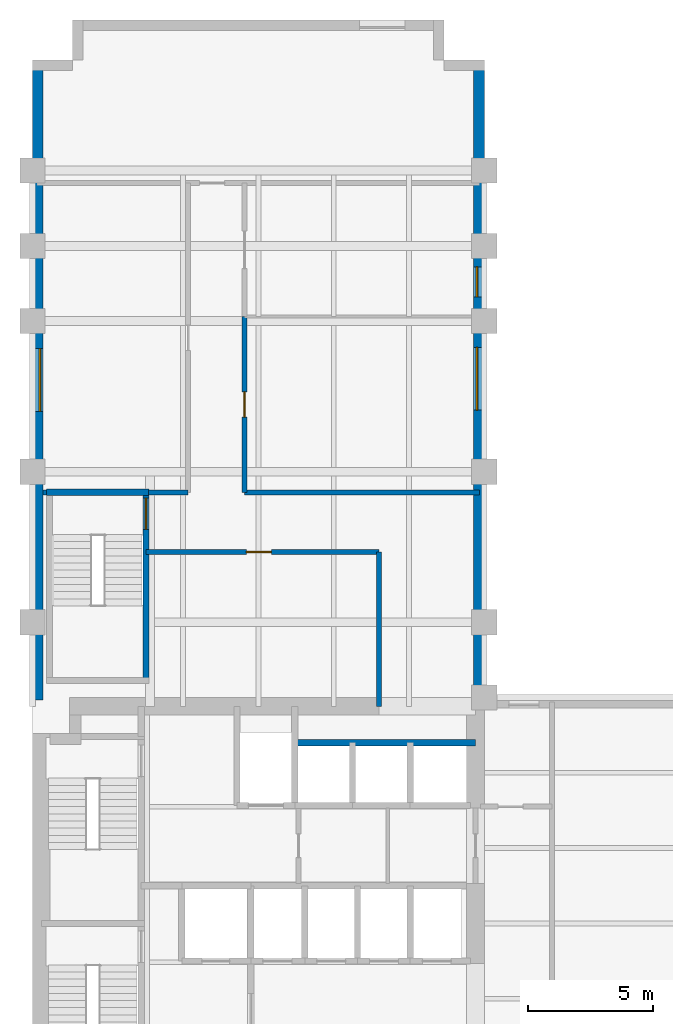
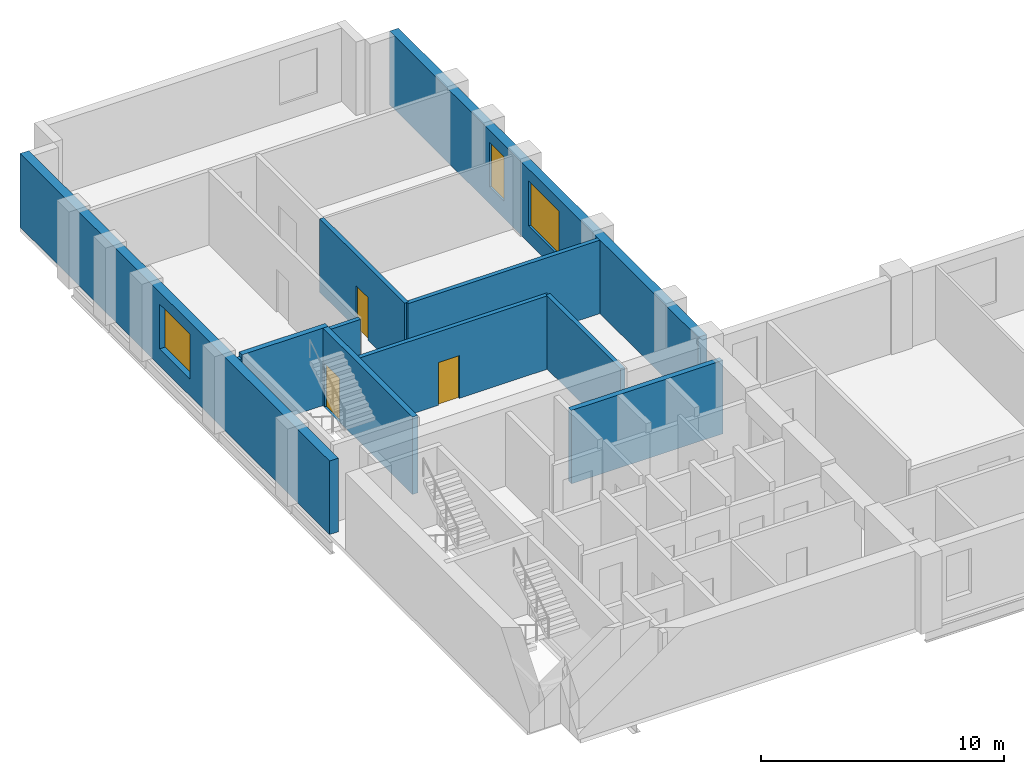
# One storey, part 4 of 7: 11 walls, 3 doors, 3 windows, 6 openings.
"""IFC4 building model written with IfcOpenShell, lengths in metres."""

from ifc_helpers import new_model, si_unit, direction, frame, frame_2d, origin, place, context, subcontext, project, spatial, rectangle, extrude, material, layer, layer_set, type_object, element, fill, save


model = new_model("IFC4")

# Units and contexts
model_context = context("Model", 3, precision=1e-05, world=origin(), true_north=direction((0.0, 1.0)))
body_context = subcontext(model_context, "Body", "Model", "MODEL_VIEW")
ifc_project = project(units=[si_unit("LENGTHUNIT", "METRE"), si_unit("AREAUNIT", "SQUARE_METRE"), si_unit("VOLUMEUNIT", "CUBIC_METRE"), si_unit("PLANEANGLEUNIT", "RADIAN"), si_unit("MASSUNIT", "GRAM", prefix="KILO")], contexts=[model_context])

# Site, building, storey
site_placement = place(None, origin())
site = spatial("IfcSite", under=ifc_project, at=site_placement, CompositionType="ELEMENT")
building_placement = place(site_placement, origin())
building = spatial("IfcBuilding", under=site, at=building_placement, Name="Mawjdan Bourse Tower", CompositionType="ELEMENT")
storey_placement = place(building_placement, frame((0.0, 0.0, 147.89990234375)))
storey = spatial("IfcBuildingStorey", under=building, at=storey_placement, Name="L35", CompositionType="ELEMENT", Elevation=147.89990234375)

# Wall, openings, windows
ifc_material_1 = material(Name="Brick Masonry Buff", Category="masonry")
ifc_layer_1 = layer(ifc_material_1, 0.419921875)
ifc_layer_set_1 = layer_set([ifc_layer_1], Name="Brick Masonry Buff")
wall_type_1 = type_object("IfcWallType", Name="WL-BRK-BUFF-420", PredefinedType="STANDARD", material=ifc_layer_set_1)
wall_1_placement = place(storey_placement, frame((23.7900390625, 21.0, 0.0), z_axis=(0.0, 0.0, 1.0), x_axis=(0.0, 1.0, 0.0)))
wall_1 = element("IfcWall", 1, at=wall_1_placement, inside=storey, type_object=wall_type_1, Name="L35 Exterior Brick Wall 8", PredefinedType="STANDARD", context=body_context, shape_type="SweptSolid", body=[
    extrude(rectangle(XDim=25.39990234375, YDim=0.419921875, at=frame_2d((12.699951171875, 0.0))), origin(), (0.0, 0.0, 1.0), 3.7001953125),
])
opening_1_placement = place(wall_1_placement, frame((11.449951171875, 0.0, 0.85009765625)))
opening_1 = element("IfcOpeningElement", 2, at=opening_1_placement, cuts=wall_1, Name="Opening W-L35-05", PredefinedType="OPENING", context=body_context, shape_type="SweptSolid", body=[
    extrude(rectangle(XDim=2.5, YDim=2.25, at=frame_2d((1.25, 1.125))), frame((0.0, 0.219970703125, 0.0), z_axis=(0.0, -1.0, 0.0), x_axis=(1.0, 0.0, 0.0)), (0.0, 0.0, 1.0), 0.43994140625),
])
opening_2_placement = place(wall_1_placement, frame((15.96630859375, 0.0, 0.85009765625)))
opening_2 = element("IfcOpeningElement", 3, at=opening_2_placement, cuts=wall_1, Name="Opening W-L35-11", PredefinedType="OPENING", context=body_context, shape_type="SweptSolid", body=[
    extrude(rectangle(XDim=1.199951171875, YDim=2.25, at=frame_2d((0.60009765625, 1.125))), frame((0.0, 0.219970703125, 0.0), z_axis=(0.0, -1.0, 0.0), x_axis=(1.0, 0.0, 0.0)), (0.0, 0.0, 1.0), 0.43994140625),
])
ifc_material_2 = material(Name="Solar-Control Clear Double Glazing", Category="glass")
window_type_1 = type_object("IfcWindowType", Name="WN-Z2-1200", PartitioningType="SINGLE_PANEL", PredefinedType="WINDOW", material=ifc_material_2)
window_1_placement = place(opening_2_placement, origin())
window_1 = element("IfcWindow", 4, at=window_1_placement, inside=storey, type_object=window_type_1, Name="L35 Deep-Set Masonry Window W-L35-11", OverallHeight=2.25, OverallWidth=1.199951171875, PartitioningType="SINGLE_PANEL", PredefinedType="WINDOW", context=body_context, shape_type="SweptSolid", body=[
    extrude(rectangle(XDim=1.199951171875, YDim=2.25, at=frame_2d((0.60009765625, 1.125))), frame((0.0, 0.110107421875, 0.0), z_axis=(0.0, -1.0, 0.0), x_axis=(1.0, 0.0, 0.0)), (0.0, 0.0, 1.0), 0.06005859375),
])
fill(opening_2, window_1)
window_type_2 = type_object("IfcWindowType", Name="WN-Z2-2500", PartitioningType="SINGLE_PANEL", PredefinedType="WINDOW", material=ifc_material_2)
window_2_placement = place(opening_1_placement, origin())
window_2 = element("IfcWindow", 5, at=window_2_placement, inside=storey, type_object=window_type_2, Name="L35 Deep-Set Masonry Window W-L35-05", OverallHeight=2.25, OverallWidth=2.5, PartitioningType="SINGLE_PANEL", PredefinedType="WINDOW", context=body_context, shape_type="SweptSolid", body=[
    extrude(rectangle(XDim=2.5, YDim=2.25, at=frame_2d((1.25, 1.125))), frame((0.0, 0.110107421875, 0.0), z_axis=(0.0, -1.0, 0.0), x_axis=(1.0, 0.0, 0.0)), (0.0, 0.0, 1.0), 0.06005859375),
])
fill(opening_1, window_2)

# Wall, opening, window
wall_2_placement = place(storey_placement, frame((6.2099609375, 46.39990234375, 0.0), z_axis=(0.0, 0.0, 1.0), x_axis=(0.0, -1.0, 0.0)))
wall_2 = element("IfcWall", 6, at=wall_2_placement, inside=storey, type_object=wall_type_1, Name="L35 Exterior Brick Wall 14", PredefinedType="STANDARD", context=body_context, shape_type="SweptSolid", body=[
    extrude(rectangle(XDim=25.5, YDim=0.419921875, at=frame_2d((12.75, 0.0))), origin(), (0.0, 0.0, 1.0), 3.7001953125),
])
opening_3_placement = place(wall_2_placement, frame((11.5, 0.0, 0.85009765625)))
opening_3 = element("IfcOpeningElement", 7, at=opening_3_placement, cuts=wall_2, Name="Opening W-L35-07", PredefinedType="OPENING", context=body_context, shape_type="SweptSolid", body=[
    extrude(rectangle(XDim=2.5, YDim=2.25, at=frame_2d((1.25, 1.125))), frame((0.0, 0.219970703125, 0.0), z_axis=(0.0, -1.0, 0.0), x_axis=(1.0, 0.0, 0.0)), (0.0, 0.0, 1.0), 0.43994140625),
])
window_3_placement = place(opening_3_placement, origin())
window_3 = element("IfcWindow", 8, at=window_3_placement, inside=storey, type_object=window_type_2, Name="L35 Deep-Set Masonry Window W-L35-07", OverallHeight=2.25, OverallWidth=2.5, PartitioningType="SINGLE_PANEL", PredefinedType="WINDOW", context=body_context, shape_type="SweptSolid", body=[
    extrude(rectangle(XDim=2.5, YDim=2.25, at=frame_2d((1.25, 1.125))), frame((0.0, 0.110107421875, 0.0), z_axis=(0.0, -1.0, 0.0), x_axis=(1.0, 0.0, 0.0)), (0.0, 0.0, 1.0), 0.06005859375),
])
fill(opening_3, window_3)

# Wall, opening, door
ifc_material_3 = material(Name="Gypsum Fireboard Assembly")
ifc_layer_2 = layer(ifc_material_3, 0.199951171875)
ifc_layer_set_2 = layer_set([ifc_layer_2], Name="Gypsum Fireboard Assembly")
wall_type_2 = type_object("IfcWallType", Name="WL-CMP-200", PredefinedType="PARTITIONING", material=ifc_layer_set_2)
wall_3_placement = place(storey_placement, frame((10.52001953125, 26.800048828125, 0.0), z_axis=(0.0, 0.0, 1.0), x_axis=(1.0, 0.0, 0.0)))
wall_3 = element("IfcWall", 9, at=wall_3_placement, inside=storey, type_object=wall_type_2, Name="L35 North Throat North Wall", PredefinedType="PARTITIONING", context=body_context, shape_type="SweptSolid", body=[
    extrude(rectangle(XDim=9.280029296875, YDim=0.199951171875, at=frame_2d((4.64013671875, 0.0))), origin(), (0.0, 0.0, 1.0), 3.690185546875),
])
opening_4_placement = place(wall_3_placement, frame((4.0, 0.0, 0.0)))
opening_4 = element("IfcOpeningElement", 10, at=opening_4_placement, cuts=wall_3, Name="Opening D-L35-26", PredefinedType="OPENING", context=body_context, shape_type="SweptSolid", body=[
    extrude(rectangle(XDim=1.0, YDim=2.14990234375, at=frame_2d((0.5, 1.074951171875))), frame((0.0, 0.10986328125, 0.0), z_axis=(0.0, -1.0, 0.0), x_axis=(1.0, 0.0, 0.0)), (0.0, 0.0, 1.0), 0.219970703125),
])
ifc_material_4 = material(Name="Hardwood Acoustic Leaf", Category="wood")
door_type_1 = type_object("IfcDoorType", Name="DR-OFC-1000", OperationType="NOTDEFINED", PredefinedType="DOOR", material=ifc_material_4)
door_1_placement = place(opening_4_placement, origin())
door_1 = element("IfcDoor", 11, at=door_1_placement, inside=storey, type_object=door_type_1, Name="L35 North Throat Suite Door D-L35-26", OperationType="SINGLE_SWING_LEFT", OverallHeight=2.14990234375, OverallWidth=1.0, PredefinedType="DOOR", context=body_context, shape_type="SweptSolid", body=[
    extrude(rectangle(XDim=1.0, YDim=2.14990234375, at=frame_2d((0.5, 1.074951171875))), frame((0.0, 0.02490234375, 0.0), z_axis=(0.0, -1.0, 0.0), x_axis=(1.0, 0.0, 0.0)), (0.0, 0.0, 1.0), 0.050048828125),
])
fill(opening_4, door_1)

# Walls
wall_4_placement = place(storey_placement, frame((19.800048828125, 20.64990234375, 0.0), z_axis=(0.0, 0.0, 1.0), x_axis=(0.0, 1.0, 0.0)))
element("IfcWall", 12, at=wall_4_placement, inside=storey, type_object=wall_type_2, Name="L35 North Throat East Wall", PredefinedType="PARTITIONING", context=body_context, shape_type="SweptSolid", body=[
    extrude(rectangle(XDim=6.150146484375, YDim=0.199951171875, at=frame_2d((3.0751953125, 0.0))), origin(), (0.0, 0.0, 1.0), 3.690185546875),
])
wall_5_placement = place(storey_placement, frame((6.419921875, 29.179931640625, 0.0), z_axis=(0.0, 0.0, 1.0), x_axis=(1.0, 0.0, 0.0)))
element("IfcWall", 13, at=wall_5_placement, inside=storey, type_object=wall_type_2, Name="L35 North West Band ST3 West Return", PredefinedType="PARTITIONING", context=body_context, shape_type="SweptSolid", body=[
    extrude(rectangle(XDim=0.135009765625, YDim=0.199951171875, at=frame_2d((0.0673828125, 0.0))), origin(), (0.0, 0.0, 1.0), 3.690185546875),
])
wall_6_placement = place(storey_placement, frame((10.6298828125, 29.179931640625, 0.0), z_axis=(0.0, 0.0, 1.0), x_axis=(1.0, 0.0, 0.0)))
element("IfcWall", 14, at=wall_6_placement, inside=storey, type_object=wall_type_2, Name="L35 North West Band South Wall", PredefinedType="PARTITIONING", context=body_context, shape_type="SweptSolid", body=[
    extrude(rectangle(XDim=1.570068359375, YDim=0.199951171875, at=frame_2d((0.78515625, 0.0))), origin(), (0.0, 0.0, 1.0), 3.690185546875),
])
wall_7_placement = place(storey_placement, frame((14.449951171875, 29.179931640625, 0.0), z_axis=(0.0, 0.0, 1.0), x_axis=(1.0, 0.0, 0.0)))
element("IfcWall", 15, at=wall_7_placement, inside=storey, type_object=wall_type_2, Name="L35 North East Band South Wall", PredefinedType="PARTITIONING", context=body_context, shape_type="SweptSolid", body=[
    extrude(rectangle(XDim=9.3701171875, YDim=0.199951171875, at=frame_2d((4.68505859375, 0.0))), origin(), (0.0, 0.0, 1.0), 3.690185546875),
])

# Wall, opening, door
wall_8_placement = place(storey_placement, frame((14.449951171875, 29.179931640625, 0.0), z_axis=(0.0, 0.0, 1.0), x_axis=(0.0, 1.0, 0.0)))
wall_8 = element("IfcWall", 16, at=wall_8_placement, inside=storey, type_object=wall_type_2, Name="L35 Executive Office Corridor Wall", PredefinedType="PARTITIONING", context=body_context, shape_type="SweptSolid", body=[
    extrude(rectangle(XDim=7.0, YDim=0.199951171875, at=frame_2d((3.5, 0.0))), origin(), (0.0, 0.0, 1.0), 3.690185546875),
])
opening_5_placement = place(wall_8_placement, frame((3.0, 0.0, 0.0)))
opening_5 = element("IfcOpeningElement", 17, at=opening_5_placement, cuts=wall_8, Name="Opening D-L35-28", PredefinedType="OPENING", context=body_context, shape_type="SweptSolid", body=[
    extrude(rectangle(XDim=1.0, YDim=2.14990234375, at=frame_2d((0.5, 1.074951171875))), frame((0.0, 0.10986328125, 0.0), z_axis=(0.0, -1.0, 0.0), x_axis=(1.0, 0.0, 0.0)), (0.0, 0.0, 1.0), 0.219970703125),
])
door_2_placement = place(opening_5_placement, origin())
door_2 = element("IfcDoor", 18, at=door_2_placement, inside=storey, type_object=door_type_1, Name="L35 Executive Office Door D-L35-28", OperationType="SINGLE_SWING_LEFT", OverallHeight=2.14990234375, OverallWidth=1.0, PredefinedType="DOOR", context=body_context, shape_type="SweptSolid", body=[
    extrude(rectangle(XDim=1.0, YDim=2.14990234375, at=frame_2d((0.5, 1.074951171875))), frame((0.0, 0.02490234375, 0.0), z_axis=(0.0, -1.0, 0.0), x_axis=(1.0, 0.0, 0.0)), (0.0, 0.0, 1.0), 0.050048828125),
])
fill(opening_5, door_2)

# Walls
ifc_material_5 = material(Name="Concrete C50/60", Category="concrete")
ifc_layer_3 = layer(ifc_material_5, 0.25)
ifc_layer_set_3 = layer_set([ifc_layer_3], Name="Concrete C50/60")
wall_type_3 = type_object("IfcWallType", Name="WL-SHFT-250", PredefinedType="PARTITIONING", material=ifc_layer_set_3)
wall_9_placement = place(storey_placement, frame((16.449951171875, 19.199951171875, 0.0), z_axis=(0.0, 0.0, 1.0), x_axis=(1.0, 0.0, 0.0)))
element("IfcWall", 19, at=wall_9_placement, inside=storey, type_object=wall_type_3, Name="L35 PH Bank North Shaft Back Wall", PredefinedType="PARTITIONING", context=body_context, shape_type="SweptSolid", body=[
    extrude(rectangle(XDim=7.199951171875, YDim=0.25, at=frame_2d((3.60009765625, 0.0))), origin(), (0.0, 0.0, 1.0), 3.690185546875),
])
ifc_layer_4 = layer(ifc_material_5, 0.25)
ifc_layer_set_4 = layer_set([ifc_layer_4], Name="Concrete C50/60")
wall_type_4 = type_object("IfcWallType", Name="WL-STRW-250", PredefinedType="SHEAR", material=ifc_layer_set_4)
wall_10_placement = place(storey_placement, frame((6.554931640625, 29.179931640625, 0.0), z_axis=(0.0, 0.0, 1.0), x_axis=(1.0, 0.0, 0.0)))
element("IfcWall", 20, at=wall_10_placement, inside=storey, type_object=wall_type_4, Name="L35 ST3 North Shaft Wall", PredefinedType="SHEAR", context=body_context, shape_type="SweptSolid", body=[
    extrude(rectangle(XDim=4.090087890625, YDim=0.25, at=frame_2d((2.044921875, 0.0))), origin(), (0.0, 0.0, 1.0), 3.900146484375),
])

# Wall, opening, door
wall_11_placement = place(storey_placement, frame((10.52001953125, 21.679931640625, 0.0), z_axis=(0.0, 0.0, 1.0), x_axis=(0.0, 1.0, 0.0)))
wall_11 = element("IfcWall", 21, at=wall_11_placement, inside=storey, type_object=wall_type_4, Name="L35 ST3 East Shaft Wall", PredefinedType="SHEAR", context=body_context, shape_type="SweptSolid", body=[
    extrude(rectangle(XDim=7.5, YDim=0.25, at=frame_2d((3.75, 0.0))), origin(), (0.0, 0.0, 1.0), 3.900146484375),
])
opening_6_placement = place(wall_11_placement, frame((6.02001953125, 0.0, 0.0)))
opening_6 = element("IfcOpeningElement", 22, at=opening_6_placement, cuts=wall_11, Name="Opening SD-L35-18", PredefinedType="OPENING", context=body_context, shape_type="SweptSolid", body=[
    extrude(rectangle(XDim=1.25, YDim=2.199951171875, at=frame_2d((0.625, 1.10009765625))), frame((0.0, 0.135009765625, 0.0), z_axis=(0.0, -1.0, 0.0), x_axis=(1.0, 0.0, 0.0)), (0.0, 0.0, 1.0), 0.27001953125),
])
ifc_material_6 = material(Name="Fire-Rated Steel Leaf", Category="steel")
door_type_2 = type_object("IfcDoorType", Name="FD-ST-1250", OperationType="NOTDEFINED", PredefinedType="DOOR", material=ifc_material_6)
door_3_placement = place(opening_6_placement, origin())
door_3 = element("IfcDoor", 23, at=door_3_placement, inside=storey, type_object=door_type_2, Name="L35 Stair ST3 Fire Door SD-L35-18", OperationType="SINGLE_SWING_RIGHT", OverallHeight=2.199951171875, OverallWidth=1.25, PredefinedType="DOOR", context=body_context, shape_type="SweptSolid", body=[
    extrude(rectangle(XDim=1.25, YDim=2.199951171875, at=frame_2d((0.625, 1.10009765625))), frame((0.0, 0.02490234375, 0.0), z_axis=(0.0, -1.0, 0.0), x_axis=(1.0, 0.0, 0.0)), (0.0, 0.0, 1.0), 0.050048828125),
])
fill(opening_6, door_3)

save(model, "model.ifc")
